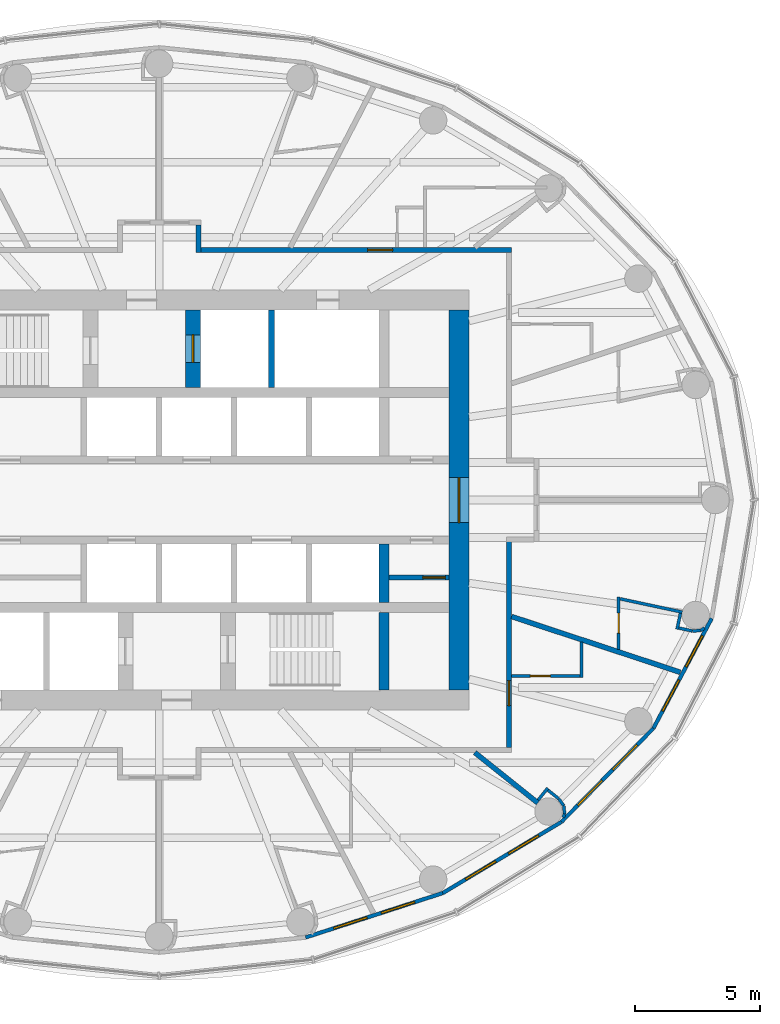
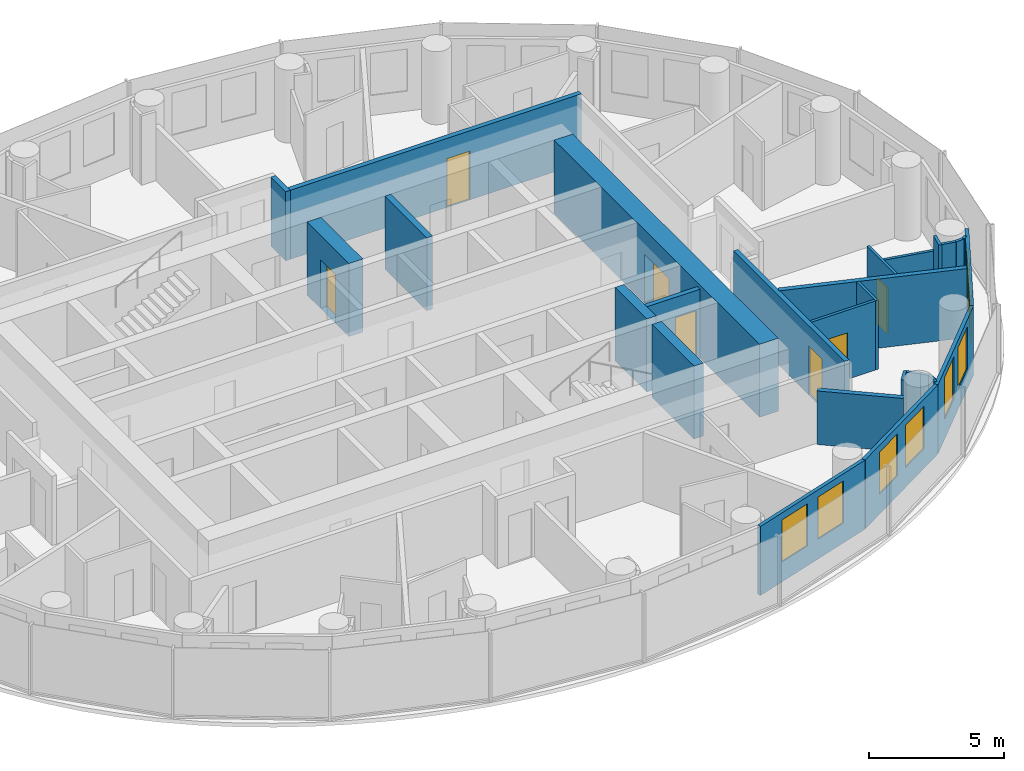
# One storey, part 10 of 16: 28 walls, 8 windows, 7 doors, 15 openings.
"""IFC4 building model written with IfcOpenShell, lengths in metres."""

from ifc_helpers import new_model, si_unit, direction, frame, frame_2d, origin, place, context, subcontext, project, spatial, rectangle, extrude, material, layer, layer_set, type_object, element, fill, save


model = new_model("IFC4")

# Units and contexts
model_context = context("Model", 3, precision=1e-05, world=origin(), true_north=direction((0.0, 1.0)))
body_context = subcontext(model_context, "Body", "Model", "MODEL_VIEW")
ifc_project = project(units=[si_unit("LENGTHUNIT", "METRE"), si_unit("AREAUNIT", "SQUARE_METRE"), si_unit("VOLUMEUNIT", "CUBIC_METRE"), si_unit("PLANEANGLEUNIT", "RADIAN"), si_unit("MASSUNIT", "GRAM", prefix="KILO")], contexts=[model_context])

# Site, building, storey
site_placement = place(None, origin())
site = spatial("IfcSite", under=ifc_project, at=site_placement, CompositionType="ELEMENT")
building_placement = place(site_placement, origin())
building = spatial("IfcBuilding", under=site, at=building_placement, Name="Hankou Lantern Tower", CompositionType="ELEMENT")
storey_placement = place(building_placement, frame((0.0, 0.0, 146.699951171875)))
storey = spatial("IfcBuildingStorey", under=building, at=storey_placement, Name="L38", CompositionType="ELEMENT", Elevation=146.699951171875)

# Wall, opening, door
ifc_material_1 = material(Name="Concrete C60", Category="concrete")
ifc_layer_1 = layer(ifc_material_1, 0.800048828125)
ifc_layer_set_1 = layer_set([ifc_layer_1], Name="Concrete C60")
wall_type_1 = type_object("IfcWallType", Name="CW2 CORE WALL 800", PredefinedType="SHEAR", material=ifc_layer_set_1)
wall_1_placement = place(storey_placement, frame((12.0, -7.60009765625, 0.0), z_axis=(0.0, 0.0, 1.0), x_axis=(0.0, 1.0, 0.0)))
wall_1 = element("IfcWall", 1, at=wall_1_placement, inside=storey, type_object=wall_type_1, Name="Core wall east L38", PredefinedType="SHEAR", context=body_context, shape_type="SweptSolid", body=[
    extrude(rectangle(XDim=15.2001953125, YDim=0.800048828125, at=frame_2d((7.60009765625, 0.0))), origin(), (0.0, 0.0, 1.0), 3.300048828125),
])
opening_1_placement = place(wall_1_placement, frame((6.699951171875, 0.0, 0.0)))
opening_1 = element("IfcOpeningElement", 2, at=opening_1_placement, cuts=wall_1, Name="Opening D6", PredefinedType="OPENING", context=body_context, shape_type="SweptSolid", body=[
    extrude(rectangle(XDim=1.800048828125, YDim=2.199951171875, at=frame_2d((0.89990234375, 1.10009765625))), frame((0.0, 0.409912109375, 0.0), z_axis=(0.0, -1.0, 0.0), x_axis=(1.0, 0.0, 0.0)), (0.0, 0.0, 1.0), 0.820068359375),
])
ifc_material_2 = material(Name="Steel door leaf", Category="steel")
door_type_1 = type_object("IfcDoorType", Name="D6 LIFT LOBBY DOOR 1800X2200", OperationType="DOUBLE_DOOR_DOUBLE_SWING", PredefinedType="DOOR", material=ifc_material_2)
door_1_placement = place(opening_1_placement, origin())
door_1 = element("IfcDoor", 3, at=door_1_placement, inside=storey, type_object=door_type_1, Name="Lift lobby east door", OperationType="DOUBLE_DOOR_DOUBLE_SWING", OverallHeight=2.199951171875, OverallWidth=1.800048828125, PredefinedType="DOOR", context=body_context, shape_type="SweptSolid", body=[
    extrude(rectangle(XDim=1.800048828125, YDim=2.199951171875, at=frame_2d((0.89990234375, 1.10009765625))), frame((0.0, 0.02490234375, 0.0), z_axis=(0.0, -1.0, 0.0), x_axis=(1.0, 0.0, 0.0)), (0.0, 0.0, 1.0), 0.050048828125),
])
fill(opening_1, door_1)

# Walls
ifc_material_3 = material(Name="Concrete C60", Category="concrete")
ifc_layer_2 = layer(ifc_material_3, 0.39990234375)
ifc_layer_set_2 = layer_set([ifc_layer_2], Name="Concrete C60")
wall_type_2 = type_object("IfcWallType", Name="CW4 CORE CROSS WALL 400", PredefinedType="SHEAR", material=ifc_layer_set_2)
wall_2_placement = place(storey_placement, frame((9.0, -4.10009765625, 0.0), z_axis=(0.0, 0.0, 1.0), x_axis=(0.0, 1.0, 0.0)))
element("IfcWall", 4, at=wall_2_placement, inside=storey, type_object=wall_type_2, Name="Core strip wall L38", PredefinedType="SHEAR", context=body_context, shape_type="SweptSolid", body=[
    extrude(rectangle(XDim=2.35009765625, YDim=0.39990234375, at=frame_2d((1.175048828125, 0.0))), origin(), (0.0, 0.0, 1.0), 3.300048828125),
])
wall_3_placement = place(storey_placement, frame((9.0, -7.60009765625, 0.0), z_axis=(0.0, 0.0, 1.0), x_axis=(0.0, 1.0, 0.0)))
element("IfcWall", 5, at=wall_3_placement, inside=storey, type_object=wall_type_2, Name="Core strip wall L38", PredefinedType="SHEAR", context=body_context, shape_type="SweptSolid", body=[
    extrude(rectangle(XDim=3.10009765625, YDim=0.39990234375, at=frame_2d((1.550048828125, 0.0))), origin(), (0.0, 0.0, 1.0), 3.300048828125),
])

# Wall, opening, door
ifc_material_4 = material(Name="Concrete C60", Category="concrete")
ifc_layer_3 = layer(ifc_material_4, 0.60009765625)
ifc_layer_set_3 = layer_set([ifc_layer_3], Name="Concrete C60")
wall_type_3 = type_object("IfcWallType", Name="CW6 STAIR AND SHAFT WALL 600", PredefinedType="SHEAR", material=ifc_layer_set_3)
wall_4_placement = place(storey_placement, frame((1.35009765625, 4.5, 0.0), z_axis=(0.0, 0.0, 1.0), x_axis=(0.0, 1.0, 0.0)))
wall_4 = element("IfcWall", 6, at=wall_4_placement, inside=storey, type_object=wall_type_3, Name="Firefighting lift shaft wall L38", PredefinedType="SHEAR", context=body_context, shape_type="SweptSolid", body=[
    extrude(rectangle(XDim=3.10009765625, YDim=0.60009765625, at=frame_2d((1.550048828125, 0.0))), origin(), (0.0, 0.0, 1.0), 3.300048828125),
])
opening_2_placement = place(wall_4_placement, frame((1.0, 0.0, 0.0)))
opening_2 = element("IfcOpeningElement", 7, at=opening_2_placement, cuts=wall_4, Name="Opening LD2", PredefinedType="OPENING", context=body_context, shape_type="SweptSolid", body=[
    extrude(rectangle(XDim=1.10009765625, YDim=2.199951171875, at=frame_2d((0.550048828125, 1.10009765625))), frame((0.0, 0.31005859375, 0.0), z_axis=(0.0, -1.0, 0.0), x_axis=(1.0, 0.0, 0.0)), (0.0, 0.0, 1.0), 0.6201171875),
])
ifc_material_5 = material(Name="Steel door leaf", Category="steel")
door_type_2 = type_object("IfcDoorType", Name="LD2 FIREFIGHTING LIFT LANDING DOOR 1100X2200", OperationType="DOUBLE_DOOR_SLIDING", PredefinedType="DOOR", material=ifc_material_5)
door_2_placement = place(opening_2_placement, origin())
door_2 = element("IfcDoor", 8, at=door_2_placement, inside=storey, type_object=door_type_2, Name="Firefighting lift FL1 landing door", OperationType="DOUBLE_DOOR_SLIDING", OverallHeight=2.199951171875, OverallWidth=1.10009765625, PredefinedType="DOOR", context=body_context, shape_type="SweptSolid", body=[
    extrude(rectangle(XDim=1.10009765625, YDim=2.199951171875, at=frame_2d((0.550048828125, 1.10009765625))), frame((0.0, 0.02490234375, 0.0), z_axis=(0.0, -1.0, 0.0), x_axis=(1.0, 0.0, 0.0)), (0.0, 0.0, 1.0), 0.050048828125),
])
fill(opening_2, door_2)

# Wall, openings, windows
ifc_material_6 = material(Name="Aluminium spandrel panel on steel studs", Category="steel")
ifc_layer_4 = layer(ifc_material_6, 0.14990234375)
ifc_layer_set_4 = layer_set([ifc_layer_4], Name="Aluminium spandrel panel on steel studs")
wall_type_4 = type_object("IfcWallType", Name="EW1 INNER SKIN WALL 150", PredefinedType="ELEMENTEDWALL", material=ifc_layer_set_4)
wall_5_placement = place(storey_placement, frame((5.8603515625, -17.497314453125, 0.0), z_axis=(0.0, 0.0, 1.0), x_axis=(0.951432482129, 0.307857486429, 0.0)))
wall_5 = element("IfcWall", 9, at=wall_5_placement, inside=storey, type_object=wall_type_4, Name="Inner skin R20-R21 L38", PredefinedType="ELEMENTEDWALL", context=body_context, shape_type="SweptSolid", body=[
    extrude(rectangle(XDim=5.76611328125, YDim=0.14990234375, at=frame_2d((2.883056640625, 0.0))), origin(), (0.0, 0.0, 1.0), 3.1201171875),
])
opening_3_placement = place(wall_5_placement, frame((1.18310546875, 0.0, 0.89990234375)))
opening_3 = element("IfcOpeningElement", 10, at=opening_3_placement, cuts=wall_5, Name="Opening W3", PredefinedType="OPENING", context=body_context, shape_type="SweptSolid", body=[
    extrude(rectangle(XDim=1.39990234375, YDim=1.89990234375, at=frame_2d((0.699951171875, 0.949951171875))), frame((0.0, 0.0849609375, 0.0), z_axis=(0.0, -1.0, 0.0), x_axis=(1.0, 0.0, 0.0)), (0.0, 0.0, 1.0), 0.169921875),
])
opening_4_placement = place(wall_5_placement, frame((3.18310546875, 0.0, 0.89990234375)))
opening_4 = element("IfcOpeningElement", 11, at=opening_4_placement, cuts=wall_5, Name="Opening W3", PredefinedType="OPENING", context=body_context, shape_type="SweptSolid", body=[
    extrude(rectangle(XDim=1.39990234375, YDim=1.89990234375, at=frame_2d((0.699951171875, 0.949951171875))), frame((0.0, 0.0849609375, 0.0), z_axis=(0.0, -1.0, 0.0), x_axis=(1.0, 0.0, 0.0)), (0.0, 0.0, 1.0), 0.169921875),
])
ifc_material_7 = material(Name="Aluminium framed double glazed window", Category="aluminium")
window_type = type_object("IfcWindowType", Name="W3 GUEST ROOM WINDOW 1400X1900", PartitioningType="DOUBLE_PANEL_VERTICAL", PredefinedType="WINDOW", material=ifc_material_7)
window_1_placement = place(opening_3_placement, origin())
window_1 = element("IfcWindow", 12, at=window_1_placement, inside=storey, type_object=window_type, Name="Window R20.1 L38", OverallHeight=1.89990234375, OverallWidth=1.39990234375, PartitioningType="SINGLE_PANEL", PredefinedType="WINDOW", context=body_context, shape_type="SweptSolid", body=[
    extrude(rectangle(XDim=1.39990234375, YDim=1.89990234375, at=frame_2d((0.699951171875, 0.949951171875))), frame((0.0, 0.030029296875, 0.0), z_axis=(0.0, -1.0, 0.0), x_axis=(1.0, 0.0, 0.0)), (0.0, 0.0, 1.0), 0.06005859375),
])
fill(opening_3, window_1)
window_2_placement = place(opening_4_placement, origin())
window_2 = element("IfcWindow", 13, at=window_2_placement, inside=storey, type_object=window_type, Name="Window R20.2 L38", OverallHeight=1.89990234375, OverallWidth=1.39990234375, PartitioningType="SINGLE_PANEL", PredefinedType="WINDOW", context=body_context, shape_type="SweptSolid", body=[
    extrude(rectangle(XDim=1.39990234375, YDim=1.89990234375, at=frame_2d((0.699951171875, 0.949951171875))), frame((0.0, 0.030029296875, 0.0), z_axis=(0.0, -1.0, 0.0), x_axis=(1.0, 0.0, 0.0)), (0.0, 0.0, 1.0), 0.06005859375),
])
fill(opening_4, window_2)

wall_6_placement = place(storey_placement, frame((11.346435546875, -15.72216796875, 0.0), z_axis=(0.0, 0.0, 1.0), x_axis=(0.857695199231, 0.514158482587, 0.0)))
wall_6 = element("IfcWall", 14, at=wall_6_placement, inside=storey, type_object=wall_type_4, Name="Inner skin R21-R22 L38", PredefinedType="ELEMENTEDWALL", context=body_context, shape_type="SweptSolid", body=[
    extrude(rectangle(XDim=5.5361328125, YDim=0.14990234375, at=frame_2d((2.76806640625, 0.0))), origin(), (0.0, 0.0, 1.0), 3.1201171875),
])
opening_5_placement = place(wall_6_placement, frame((1.068115234375, 0.0, 0.89990234375)))
opening_5 = element("IfcOpeningElement", 15, at=opening_5_placement, cuts=wall_6, Name="Opening W3", PredefinedType="OPENING", context=body_context, shape_type="SweptSolid", body=[
    extrude(rectangle(XDim=1.39990234375, YDim=1.89990234375, at=frame_2d((0.699951171875, 0.949951171875))), frame((0.0, 0.0849609375, 0.0), z_axis=(0.0, -1.0, 0.0), x_axis=(1.0, 0.0, 0.0)), (0.0, 0.0, 1.0), 0.169921875),
])
opening_6_placement = place(wall_6_placement, frame((3.068115234375, 0.0, 0.89990234375)))
opening_6 = element("IfcOpeningElement", 16, at=opening_6_placement, cuts=wall_6, Name="Opening W3", PredefinedType="OPENING", context=body_context, shape_type="SweptSolid", body=[
    extrude(rectangle(XDim=1.39990234375, YDim=1.89990234375, at=frame_2d((0.699951171875, 0.949951171875))), frame((0.0, 0.0849609375, 0.0), z_axis=(0.0, -1.0, 0.0), x_axis=(1.0, 0.0, 0.0)), (0.0, 0.0, 1.0), 0.169921875),
])
window_3_placement = place(opening_5_placement, origin())
window_3 = element("IfcWindow", 17, at=window_3_placement, inside=storey, type_object=window_type, Name="Window R21.1 L38", OverallHeight=1.89990234375, OverallWidth=1.39990234375, PartitioningType="SINGLE_PANEL", PredefinedType="WINDOW", context=body_context, shape_type="SweptSolid", body=[
    extrude(rectangle(XDim=1.39990234375, YDim=1.89990234375, at=frame_2d((0.699951171875, 0.949951171875))), frame((0.0, 0.030029296875, 0.0), z_axis=(0.0, -1.0, 0.0), x_axis=(1.0, 0.0, 0.0)), (0.0, 0.0, 1.0), 0.06005859375),
])
fill(opening_5, window_3)
window_4_placement = place(opening_6_placement, origin())
window_4 = element("IfcWindow", 18, at=window_4_placement, inside=storey, type_object=window_type, Name="Window R21.2 L38", OverallHeight=1.89990234375, OverallWidth=1.39990234375, PartitioningType="SINGLE_PANEL", PredefinedType="WINDOW", context=body_context, shape_type="SweptSolid", body=[
    extrude(rectangle(XDim=1.39990234375, YDim=1.89990234375, at=frame_2d((0.699951171875, 0.949951171875))), frame((0.0, 0.030029296875, 0.0), z_axis=(0.0, -1.0, 0.0), x_axis=(1.0, 0.0, 0.0)), (0.0, 0.0, 1.0), 0.06005859375),
])
fill(opening_6, window_4)

wall_7_placement = place(storey_placement, frame((16.0947265625, -12.875732421875, 0.0), z_axis=(0.0, 0.0, 1.0), x_axis=(0.700727467776, 0.71342905457, 0.0)))
wall_7 = element("IfcWall", 19, at=wall_7_placement, inside=storey, type_object=wall_type_4, Name="Inner skin R22-R23 L38", PredefinedType="ELEMENTEDWALL", context=body_context, shape_type="SweptSolid", body=[
    extrude(rectangle(XDim=5.247314453125, YDim=0.14990234375, at=frame_2d((2.62353515625, 0.0))), origin(), (0.0, 0.0, 1.0), 3.1201171875),
])
opening_7_placement = place(wall_7_placement, frame((0.923583984375, 0.0, 0.89990234375)))
opening_7 = element("IfcOpeningElement", 20, at=opening_7_placement, cuts=wall_7, Name="Opening W3", PredefinedType="OPENING", context=body_context, shape_type="SweptSolid", body=[
    extrude(rectangle(XDim=1.39990234375, YDim=1.89990234375, at=frame_2d((0.699951171875, 0.949951171875))), frame((0.0, 0.0849609375, 0.0), z_axis=(0.0, -1.0, 0.0), x_axis=(1.0, 0.0, 0.0)), (0.0, 0.0, 1.0), 0.169921875),
])
opening_8_placement = place(wall_7_placement, frame((2.923583984375, 0.0, 0.89990234375)))
opening_8 = element("IfcOpeningElement", 21, at=opening_8_placement, cuts=wall_7, Name="Opening W3", PredefinedType="OPENING", context=body_context, shape_type="SweptSolid", body=[
    extrude(rectangle(XDim=1.39990234375, YDim=1.89990234375, at=frame_2d((0.699951171875, 0.949951171875))), frame((0.0, 0.0849609375, 0.0), z_axis=(0.0, -1.0, 0.0), x_axis=(1.0, 0.0, 0.0)), (0.0, 0.0, 1.0), 0.169921875),
])
window_5_placement = place(opening_7_placement, origin())
window_5 = element("IfcWindow", 22, at=window_5_placement, inside=storey, type_object=window_type, Name="Window R22.1 L38", OverallHeight=1.89990234375, OverallWidth=1.39990234375, PartitioningType="SINGLE_PANEL", PredefinedType="WINDOW", context=body_context, shape_type="SweptSolid", body=[
    extrude(rectangle(XDim=1.39990234375, YDim=1.89990234375, at=frame_2d((0.699951171875, 0.949951171875))), frame((0.0, 0.030029296875, 0.0), z_axis=(0.0, -1.0, 0.0), x_axis=(1.0, 0.0, 0.0)), (0.0, 0.0, 1.0), 0.06005859375),
])
fill(opening_7, window_5)
window_6_placement = place(opening_8_placement, origin())
window_6 = element("IfcWindow", 23, at=window_6_placement, inside=storey, type_object=window_type, Name="Window R22.2 L38", OverallHeight=1.89990234375, OverallWidth=1.39990234375, PartitioningType="SINGLE_PANEL", PredefinedType="WINDOW", context=body_context, shape_type="SweptSolid", body=[
    extrude(rectangle(XDim=1.39990234375, YDim=1.89990234375, at=frame_2d((0.699951171875, 0.949951171875))), frame((0.0, 0.030029296875, 0.0), z_axis=(0.0, -1.0, 0.0), x_axis=(1.0, 0.0, 0.0)), (0.0, 0.0, 1.0), 0.06005859375),
])
fill(opening_8, window_6)

wall_8_placement = place(storey_placement, frame((19.771728515625, -9.132080078125, 0.0), z_axis=(0.0, 0.0, 1.0), x_axis=(0.468428906714, 0.883501193748, 0.0)))
wall_8 = element("IfcWall", 24, at=wall_8_placement, inside=storey, type_object=wall_type_4, Name="Inner skin R23-R24 L38", PredefinedType="ELEMENTEDWALL", context=body_context, shape_type="SweptSolid", body=[
    extrude(rectangle(XDim=4.9736328125, YDim=0.14990234375, at=frame_2d((2.48681640625, 0.0))), origin(), (0.0, 0.0, 1.0), 3.1201171875),
])
opening_9_placement = place(wall_8_placement, frame((0.786865234375, 0.0, 0.89990234375)))
opening_9 = element("IfcOpeningElement", 25, at=opening_9_placement, cuts=wall_8, Name="Opening W3", PredefinedType="OPENING", context=body_context, shape_type="SweptSolid", body=[
    extrude(rectangle(XDim=1.39990234375, YDim=1.89990234375, at=frame_2d((0.699951171875, 0.949951171875))), frame((0.0, 0.0849609375, 0.0), z_axis=(0.0, -1.0, 0.0), x_axis=(1.0, 0.0, 0.0)), (0.0, 0.0, 1.0), 0.169921875),
])
opening_10_placement = place(wall_8_placement, frame((2.786865234375, 0.0, 0.89990234375)))
opening_10 = element("IfcOpeningElement", 26, at=opening_10_placement, cuts=wall_8, Name="Opening W3", PredefinedType="OPENING", context=body_context, shape_type="SweptSolid", body=[
    extrude(rectangle(XDim=1.39990234375, YDim=1.89990234375, at=frame_2d((0.699951171875, 0.949951171875))), frame((0.0, 0.0849609375, 0.0), z_axis=(0.0, -1.0, 0.0), x_axis=(1.0, 0.0, 0.0)), (0.0, 0.0, 1.0), 0.169921875),
])
window_7_placement = place(opening_9_placement, origin())
window_7 = element("IfcWindow", 27, at=window_7_placement, inside=storey, type_object=window_type, Name="Window R23.1 L38", OverallHeight=1.89990234375, OverallWidth=1.39990234375, PartitioningType="SINGLE_PANEL", PredefinedType="WINDOW", context=body_context, shape_type="SweptSolid", body=[
    extrude(rectangle(XDim=1.39990234375, YDim=1.89990234375, at=frame_2d((0.699951171875, 0.949951171875))), frame((0.0, 0.030029296875, 0.0), z_axis=(0.0, -1.0, 0.0), x_axis=(1.0, 0.0, 0.0)), (0.0, 0.0, 1.0), 0.06005859375),
])
fill(opening_9, window_7)
window_8_placement = place(opening_10_placement, origin())
window_8 = element("IfcWindow", 28, at=window_8_placement, inside=storey, type_object=window_type, Name="Window R23.2 L38", OverallHeight=1.89990234375, OverallWidth=1.39990234375, PartitioningType="SINGLE_PANEL", PredefinedType="WINDOW", context=body_context, shape_type="SweptSolid", body=[
    extrude(rectangle(XDim=1.39990234375, YDim=1.89990234375, at=frame_2d((0.699951171875, 0.949951171875))), frame((0.0, 0.030029296875, 0.0), z_axis=(0.0, -1.0, 0.0), x_axis=(1.0, 0.0, 0.0)), (0.0, 0.0, 1.0), 0.06005859375),
])
fill(opening_10, window_8)

# Walls
ifc_material_8 = material(Name="Masonry lightweight concrete block", Category="masonry")
ifc_layer_5 = layer(ifc_material_8, 0.199951171875)
ifc_layer_set_5 = layer_set([ifc_layer_5], Name="Masonry lightweight concrete block")
wall_type_5 = type_object("IfcWallType", Name="IW1 GUEST ROOM PARTY WALL 200", PredefinedType="PARTITIONING", material=ifc_layer_set_5)
wall_9_placement = place(storey_placement, frame((12.625, -10.10009765625, 0.0), z_axis=(0.0, 0.0, 1.0), x_axis=(0.780876185034, -0.624685827954, 0.0)))
element("IfcWall", 29, at=wall_9_placement, inside=storey, type_object=wall_type_5, Name="Party wall R22", PredefinedType="PARTITIONING", context=body_context, shape_type="SweptSolid", body=[
    extrude(rectangle(XDim=3.229248046875, YDim=0.199951171875, at=frame_2d((1.61474609375, 0.0))), origin(), (0.0, 0.0, 1.0), 2.420166015625),
])
wall_10_placement = place(storey_placement, frame((14.10009765625, -4.661376953125, 0.0), z_axis=(0.0, 0.0, 1.0), x_axis=(0.949453216399, -0.313908569285, 0.0)))
element("IfcWall", 30, at=wall_10_placement, inside=storey, type_object=wall_type_5, Name="Party wall R23-R24", PredefinedType="PARTITIONING", context=body_context, shape_type="SweptSolid", body=[
    extrude(rectangle(XDim=7.108642578125, YDim=0.199951171875, at=frame_2d((3.55419921875, 0.0))), origin(), (0.0, 0.0, 1.0), 3.1201171875),
])
ifc_material_9 = material(Name="Masonry lightweight concrete block", Category="masonry")
ifc_layer_6 = layer(ifc_material_9, 0.199951171875)
ifc_layer_set_6 = layer_set([ifc_layer_6], Name="Masonry lightweight concrete block")
wall_type_6 = type_object("IfcWallType", Name="IW2 CORRIDOR WALL 200", PredefinedType="PARTITIONING", material=ifc_layer_set_6)
wall_11_placement = place(storey_placement, frame((1.570068359375, 9.89990234375, 0.0), z_axis=(0.0, 0.0, 1.0), x_axis=(0.0, 1.0, 0.0)))
element("IfcWall", 31, at=wall_11_placement, inside=storey, type_object=wall_type_6, Name="Corridor alcove wall 3803-3804 right", PredefinedType="PARTITIONING", context=body_context, shape_type="SweptSolid", body=[
    extrude(rectangle(XDim=1.10009765625, YDim=0.199951171875, at=frame_2d((0.550048828125, 0.0))), origin(), (0.0, 0.0, 1.0), 3.1201171875),
])

# Wall, opening, door
wall_12_placement = place(storey_placement, frame((1.669921875, 10.0, 0.0), z_axis=(0.0, 0.0, 1.0), x_axis=(1.0, 0.0, 0.0)))
wall_12 = element("IfcWall", 32, at=wall_12_placement, inside=storey, type_object=wall_type_6, Name="Corridor wall north", PredefinedType="PARTITIONING", context=body_context, shape_type="SweptSolid", body=[
    extrude(rectangle(XDim=12.43017578125, YDim=0.199951171875, at=frame_2d((6.215087890625, 0.0))), origin(), (0.0, 0.0, 1.0), 3.1201171875),
])
opening_11_placement = place(wall_12_placement, frame((6.675048828125, 0.0, 0.0)))
opening_11 = element("IfcOpeningElement", 33, at=opening_11_placement, cuts=wall_12, Name="Opening D1", PredefinedType="OPENING", context=body_context, shape_type="SweptSolid", body=[
    extrude(rectangle(XDim=1.0, YDim=2.199951171875, at=frame_2d((0.5, 1.10009765625))), frame((0.0, 0.10986328125, 0.0), z_axis=(0.0, -1.0, 0.0), x_axis=(1.0, 0.0, 0.0)), (0.0, 0.0, 1.0), 0.219970703125),
])
ifc_material_10 = material(Name="Steel door leaf", Category="steel")
door_type_3 = type_object("IfcDoorType", Name="D1 GUEST ROOM DOOR 1000X2200", OperationType="SINGLE_SWING_LEFT", PredefinedType="DOOR", material=ifc_material_10)
door_3_placement = place(opening_11_placement, origin())
door_3 = element("IfcDoor", 34, at=door_3_placement, inside=storey, type_object=door_type_3, Name="Guest room door 3802", OperationType="SINGLE_SWING_RIGHT", OverallHeight=2.199951171875, OverallWidth=1.0, PredefinedType="DOOR", context=body_context, shape_type="SweptSolid", body=[
    extrude(rectangle(XDim=1.0, YDim=2.199951171875, at=frame_2d((0.5, 1.10009765625))), frame((0.0, 0.02490234375, 0.0), z_axis=(0.0, -1.0, 0.0), x_axis=(1.0, 0.0, 0.0)), (0.0, 0.0, 1.0), 0.050048828125),
])
fill(opening_11, door_3)

wall_13_placement = place(storey_placement, frame((14.0, -9.89990234375, 0.0), z_axis=(0.0, 0.0, 1.0), x_axis=(0.0, 1.0, 0.0)))
wall_13 = element("IfcWall", 35, at=wall_13_placement, inside=storey, type_object=wall_type_6, Name="Corridor wall east", PredefinedType="PARTITIONING", context=body_context, shape_type="SweptSolid", body=[
    extrude(rectangle(XDim=8.22998046875, YDim=0.199951171875, at=frame_2d((4.114990234375, 0.0))), origin(), (0.0, 0.0, 1.0), 3.1201171875),
])
opening_12_placement = place(wall_13_placement, frame((1.678466796875, 0.0, 0.0)))
opening_12 = element("IfcOpeningElement", 36, at=opening_12_placement, cuts=wall_13, Name="Opening D1", PredefinedType="OPENING", context=body_context, shape_type="SweptSolid", body=[
    extrude(rectangle(XDim=1.0, YDim=2.199951171875, at=frame_2d((0.5, 1.10009765625))), frame((0.0, 0.10986328125, 0.0), z_axis=(0.0, -1.0, 0.0), x_axis=(1.0, 0.0, 0.0)), (0.0, 0.0, 1.0), 0.219970703125),
])
door_4_placement = place(opening_12_placement, origin())
door_4 = element("IfcDoor", 37, at=door_4_placement, inside=storey, type_object=door_type_3, Name="Guest room door 3814", OperationType="SINGLE_SWING_LEFT", OverallHeight=2.199951171875, OverallWidth=1.0, PredefinedType="DOOR", context=body_context, shape_type="SweptSolid", body=[
    extrude(rectangle(XDim=1.0, YDim=2.199951171875, at=frame_2d((0.5, 1.10009765625))), frame((0.0, 0.02490234375, 0.0), z_axis=(0.0, -1.0, 0.0), x_axis=(1.0, 0.0, 0.0)), (0.0, 0.0, 1.0), 0.050048828125),
])
fill(opening_12, door_4)

# Wall
ifc_material_11 = material(Name="Masonry lightweight concrete block", Category="masonry")
ifc_layer_7 = layer(ifc_material_11, 0.1201171875)
ifc_layer_set_7 = layer_set([ifc_layer_7], Name="Masonry lightweight concrete block")
wall_type_7 = type_object("IfcWallType", Name="IW3 BATHROOM WALL 120", PredefinedType="PARTITIONING", material=ifc_layer_set_7)
wall_14_placement = place(storey_placement, frame((16.89990234375, -5.687255859375, 0.0), z_axis=(0.0, 0.0, 1.0), x_axis=(0.0, -1.0, 0.0)))
element("IfcWall", 38, at=wall_14_placement, inside=storey, type_object=wall_type_7, Name="Box wall 3814 1", PredefinedType="PARTITIONING", context=body_context, shape_type="SweptSolid", body=[
    extrude(rectangle(XDim=1.414306640625, YDim=0.1201171875, at=frame_2d((0.70703125, 0.0))), origin(), (0.0, 0.0, 1.0), 3.1201171875),
])

# Wall, opening, door
wall_15_placement = place(storey_placement, frame((14.10009765625, -7.04150390625, 0.0), z_axis=(0.0, 0.0, 1.0), x_axis=(1.0, 0.0, 0.0)))
wall_15 = element("IfcWall", 39, at=wall_15_placement, inside=storey, type_object=wall_type_7, Name="Box wall 3814 1", PredefinedType="PARTITIONING", context=body_context, shape_type="SweptSolid", body=[
    extrude(rectangle(XDim=2.739990234375, YDim=0.1201171875, at=frame_2d((1.3701171875, 0.0))), origin(), (0.0, 0.0, 1.0), 3.1201171875),
])
opening_13_placement = place(wall_15_placement, frame((0.75, 0.0, 0.0)))
opening_13 = element("IfcOpeningElement", 40, at=opening_13_placement, cuts=wall_15, Name="Opening D3", PredefinedType="OPENING", context=body_context, shape_type="SweptSolid", body=[
    extrude(rectangle(XDim=0.800048828125, YDim=2.10009765625, at=frame_2d((0.39990234375, 1.050048828125))), frame((0.0, 0.070068359375, 0.0), z_axis=(0.0, -1.0, 0.0), x_axis=(1.0, 0.0, 0.0)), (0.0, 0.0, 1.0), 0.14013671875),
])
ifc_material_12 = material(Name="Timber door leaf", Category="wood")
door_type_4 = type_object("IfcDoorType", Name="D3 BATHROOM DOOR 800X2100", OperationType="SINGLE_SWING_LEFT", PredefinedType="DOOR", material=ifc_material_12)
door_5_placement = place(opening_13_placement, origin())
door_5 = element("IfcDoor", 41, at=door_5_placement, inside=storey, type_object=door_type_4, Name="En-suite bathroom 3814 door", OperationType="SINGLE_SWING_LEFT", OverallHeight=2.10009765625, OverallWidth=0.800048828125, PredefinedType="DOOR", context=body_context, shape_type="SweptSolid", body=[
    extrude(rectangle(XDim=0.800048828125, YDim=2.10009765625, at=frame_2d((0.39990234375, 1.050048828125))), frame((0.0, 0.02490234375, 0.0), z_axis=(0.0, -1.0, 0.0), x_axis=(1.0, 0.0, 0.0)), (0.0, 0.0, 1.0), 0.050048828125),
])
fill(opening_13, door_5)

wall_16_placement = place(storey_placement, frame((18.380859375, -5.971435546875, 0.0), z_axis=(0.0, 0.0, 1.0), x_axis=(0.000934142516, 0.999999563689, 0.0)))
wall_16 = element("IfcWall", 42, at=wall_16_placement, inside=storey, type_object=wall_type_7, Name="Box wall 3815 1", PredefinedType="PARTITIONING", context=body_context, shape_type="SweptSolid", body=[
    extrude(rectangle(XDim=2.0908203125, YDim=0.1201171875, at=frame_2d((1.04541015625, 0.0))), origin(), (0.0, 0.0, 1.0), 3.1201171875),
])
opening_14_placement = place(wall_16_placement, frame((0.6455078125, 0.0, 0.0)))
opening_14 = element("IfcOpeningElement", 43, at=opening_14_placement, cuts=wall_16, Name="Opening D3", PredefinedType="OPENING", context=body_context, shape_type="SweptSolid", body=[
    extrude(rectangle(XDim=0.800048828125, YDim=2.10009765625, at=frame_2d((0.39990234375, 1.050048828125))), frame((0.0, 0.070068359375, 0.0), z_axis=(0.0, -1.0, 0.0), x_axis=(1.0, 0.0, 0.0)), (0.0, 0.0, 1.0), 0.14013671875),
])
door_6_placement = place(opening_14_placement, origin())
door_6 = element("IfcDoor", 44, at=door_6_placement, inside=storey, type_object=door_type_4, Name="En-suite bathroom 3815 door", OperationType="SINGLE_SWING_LEFT", OverallHeight=2.10009765625, OverallWidth=0.800048828125, PredefinedType="DOOR", context=body_context, shape_type="SweptSolid", body=[
    extrude(rectangle(XDim=0.800048828125, YDim=2.10009765625, at=frame_2d((0.39990234375, 1.050048828125))), frame((0.0, 0.02490234375, 0.0), z_axis=(0.0, -1.0, 0.0), x_axis=(1.0, 0.0, 0.0)), (0.0, 0.0, 1.0), 0.050048828125),
])
fill(opening_14, door_6)

# Walls
wall_17_placement = place(storey_placement, frame((18.44140625, -3.953125, 0.0), z_axis=(0.0, 0.0, 1.0), x_axis=(0.977801007461, -0.209535652833, 0.0)))
element("IfcWall", 45, at=wall_17_placement, inside=storey, type_object=wall_type_7, Name="Box wall 3815 2", PredefinedType="PARTITIONING", context=body_context, shape_type="SweptSolid", body=[
    extrude(rectangle(XDim=2.5400390625, YDim=0.1201171875, at=frame_2d((1.27001953125, 0.0))), origin(), (0.0, 0.0, 1.0), 2.420166015625),
])
wall_18_placement = place(storey_placement, frame((20.853759765625, -4.531494140625, 0.0), z_axis=(0.0, 0.0, 1.0), x_axis=(-0.209631346779, -0.977780496046, 0.0)))
element("IfcWall", 46, at=wall_18_placement, inside=storey, type_object=wall_type_7, Name="Column casing 3815 return", PredefinedType="PARTITIONING", context=body_context, shape_type="SweptSolid", body=[
    extrude(rectangle(XDim=0.652099609375, YDim=0.1201171875, at=frame_2d((0.326171875, 0.0))), origin(), (0.0, 0.0, 1.0), 3.1201171875),
])
wall_19_placement = place(storey_placement, frame((20.788330078125, -5.123291015625, 0.0), z_axis=(0.0, 0.0, 1.0), x_axis=(0.977789415726, -0.209589738521, 0.0)))
element("IfcWall", 47, at=wall_19_placement, inside=storey, type_object=wall_type_7, Name="Column casing 3815", PredefinedType="PARTITIONING", context=body_context, shape_type="SweptSolid", body=[
    extrude(rectangle(XDim=0.5498046875, YDim=0.1201171875, at=frame_2d((0.27490234375, 0.0))), origin(), (0.0, 0.0, 1.0), 3.1201171875),
])
wall_20_placement = place(storey_placement, frame((21.325927734375, -5.238525390625, 0.0), z_axis=(0.0, 0.0, 1.0), x_axis=(0.998719689441, 0.050586380797, 0.0)))
element("IfcWall", 48, at=wall_20_placement, inside=storey, type_object=wall_type_7, Name="Column casing 3815", PredefinedType="PARTITIONING", context=body_context, shape_type="SweptSolid", body=[
    extrude(rectangle(XDim=0.337890625, YDim=0.1201171875, at=frame_2d((0.1689453125, 0.0))), origin(), (0.0, 0.0, 1.0), 3.1201171875),
])
wall_21_placement = place(storey_placement, frame((21.663330078125, -5.221435546875, 0.0), z_axis=(0.0, 0.0, 1.0), x_axis=(0.839279022252, 0.543700949795, 0.0)))
element("IfcWall", 49, at=wall_21_placement, inside=storey, type_object=wall_type_7, Name="Column casing 3815", PredefinedType="PARTITIONING", context=body_context, shape_type="SweptSolid", body=[
    extrude(rectangle(XDim=0.18017578125, YDim=0.1201171875, at=frame_2d((0.090087890625, 0.0))), origin(), (0.0, 0.0, 1.0), 3.1201171875),
])
ifc_material_13 = material(Name="Masonry lightweight concrete block", Category="masonry")
ifc_layer_8 = layer(ifc_material_13, 0.1201171875)
ifc_layer_set_8 = layer_set([ifc_layer_8], Name="Masonry lightweight concrete block")
wall_type_8 = type_object("IfcWallType", Name="IW4 PARTITION 120", PredefinedType="PARTITIONING", material=ifc_layer_set_8)
wall_22_placement = place(storey_placement, frame((15.162353515625, -12.001708984375, 0.0), z_axis=(0.0, 0.0, 1.0), x_axis=(0.624597762427, 0.780946627607, 0.0)))
element("IfcWall", 50, at=wall_22_placement, inside=storey, type_object=wall_type_8, Name="Column casing R22 return", PredefinedType="PARTITIONING", context=body_context, shape_type="SweptSolid", body=[
    extrude(rectangle(XDim=0.612060546875, YDim=0.1201171875, at=frame_2d((0.30615234375, 0.0))), origin(), (0.0, 0.0, 1.0), 3.1201171875),
])
wall_23_placement = place(storey_placement, frame((15.55419921875, -11.60791015625, 0.0), z_axis=(0.0, 0.0, 1.0), x_axis=(0.780695577787, -0.624911525597, 0.0)))
element("IfcWall", 51, at=wall_23_placement, inside=storey, type_object=wall_type_8, Name="Column casing R22", PredefinedType="PARTITIONING", context=body_context, shape_type="SweptSolid", body=[
    extrude(rectangle(XDim=0.550048828125, YDim=0.1201171875, at=frame_2d((0.27490234375, 0.0))), origin(), (0.0, 0.0, 1.0), 3.1201171875),
])
wall_24_placement = place(storey_placement, frame((15.983642578125, -11.95166015625, 0.0), z_axis=(0.0, 0.0, 1.0), x_axis=(0.592335221171, -0.805691619517, 0.0)))
element("IfcWall", 52, at=wall_24_placement, inside=storey, type_object=wall_type_8, Name="Column casing R22", PredefinedType="PARTITIONING", context=body_context, shape_type="SweptSolid", body=[
    extrude(rectangle(XDim=0.337646484375, YDim=0.1201171875, at=frame_2d((0.1689453125, 0.0))), origin(), (0.0, 0.0, 1.0), 3.1201171875),
])
wall_25_placement = place(storey_placement, frame((16.18359375, -12.2236328125, 0.0), z_axis=(0.0, 0.0, 1.0), x_axis=(0.110669692975, -0.993857242795, 0.0)))
element("IfcWall", 53, at=wall_25_placement, inside=storey, type_object=wall_type_8, Name="Column casing R22", PredefinedType="PARTITIONING", context=body_context, shape_type="SweptSolid", body=[
    extrude(rectangle(XDim=0.33740234375, YDim=0.1201171875, at=frame_2d((0.168701171875, 0.0))), origin(), (0.0, 0.0, 1.0), 3.1201171875),
])
wall_26_placement = place(storey_placement, frame((16.220947265625, -12.55908203125, 0.0), z_axis=(0.0, 0.0, 1.0), x_axis=(-0.401064416249, -0.916049853457, 0.0)))
element("IfcWall", 54, at=wall_26_placement, inside=storey, type_object=wall_type_8, Name="Column casing R22", PredefinedType="PARTITIONING", context=body_context, shape_type="SweptSolid", body=[
    extrude(rectangle(XDim=0.156494140625, YDim=0.1201171875, at=frame_2d((0.078125, 0.0))), origin(), (0.0, 0.0, 1.0), 3.1201171875),
])

# Wall, opening, door
ifc_material_14 = material(Name="Masonry lightweight concrete block", Category="masonry")
ifc_layer_9 = layer(ifc_material_14, 0.199951171875)
ifc_layer_set_9 = layer_set([ifc_layer_9], Name="Masonry lightweight concrete block")
wall_type_9 = type_object("IfcWallType", Name="IW8 PARTITION 200", PredefinedType="PARTITIONING", material=ifc_layer_set_9)
wall_27_placement = place(storey_placement, frame((9.199951171875, -3.10009765625, 0.0), z_axis=(0.0, 0.0, 1.0), x_axis=(1.0, 0.0, 0.0)))
wall_27 = element("IfcWall", 55, at=wall_27_placement, inside=storey, type_object=wall_type_9, Name="Partition cleaner's store", PredefinedType="PARTITIONING", context=body_context, shape_type="SweptSolid", body=[
    extrude(rectangle(XDim=2.400146484375, YDim=0.199951171875, at=frame_2d((1.2001953125, 0.0))), origin(), (0.0, 0.0, 1.0), 3.1201171875),
])
opening_15_placement = place(wall_27_placement, frame((1.35009765625, 0.0, 0.0)))
opening_15 = element("IfcOpeningElement", 56, at=opening_15_placement, cuts=wall_27, Name="Opening D12", PredefinedType="OPENING", context=body_context, shape_type="SweptSolid", body=[
    extrude(rectangle(XDim=0.89990234375, YDim=2.199951171875, at=frame_2d((0.449951171875, 1.10009765625))), frame((0.0, 0.10986328125, 0.0), z_axis=(0.0, -1.0, 0.0), x_axis=(1.0, 0.0, 0.0)), (0.0, 0.0, 1.0), 0.219970703125),
])
ifc_material_15 = material(Name="Steel door leaf", Category="steel")
door_type_5 = type_object("IfcDoorType", Name="D12 STORE DOOR 900X2200", OperationType="SINGLE_SWING_LEFT", PredefinedType="DOOR", material=ifc_material_15)
door_7_placement = place(opening_15_placement, origin())
door_7 = element("IfcDoor", 57, at=door_7_placement, inside=storey, type_object=door_type_5, Name="Cleaning materials cupboard door", OperationType="SINGLE_SWING_RIGHT", OverallHeight=2.199951171875, OverallWidth=0.89990234375, PredefinedType="DOOR", context=body_context, shape_type="SweptSolid", body=[
    extrude(rectangle(XDim=0.89990234375, YDim=2.199951171875, at=frame_2d((0.449951171875, 1.10009765625))), frame((0.0, 0.02490234375, 0.0), z_axis=(0.0, -1.0, 0.0), x_axis=(1.0, 0.0, 0.0)), (0.0, 0.0, 1.0), 0.050048828125),
])
fill(opening_15, door_7)

# Wall
ifc_material_16 = material(Name="Masonry autoclaved aerated concrete block", Category="masonry")
ifc_layer_10 = layer(ifc_material_16, 0.25)
ifc_layer_set_10 = layer_set([ifc_layer_10], Name="Masonry autoclaved aerated concrete block")
wall_type_10 = type_object("IfcWallType", Name="SW1 SHAFT BLOCK WALL 250", PredefinedType="PARTITIONING", material=ifc_layer_set_10)
wall_28_placement = place(storey_placement, frame((4.5, 4.5, 0.0), z_axis=(0.0, 0.0, 1.0), x_axis=(0.0, 1.0, 0.0)))
element("IfcWall", 58, at=wall_28_placement, inside=storey, type_object=wall_type_10, Name="Riser wall L38", PredefinedType="PARTITIONING", context=body_context, shape_type="SweptSolid", body=[
    extrude(rectangle(XDim=3.10009765625, YDim=0.25, at=frame_2d((1.550048828125, 0.0))), origin(), (0.0, 0.0, 1.0), 3.300048828125),
])

save(model, "model.ifc")
